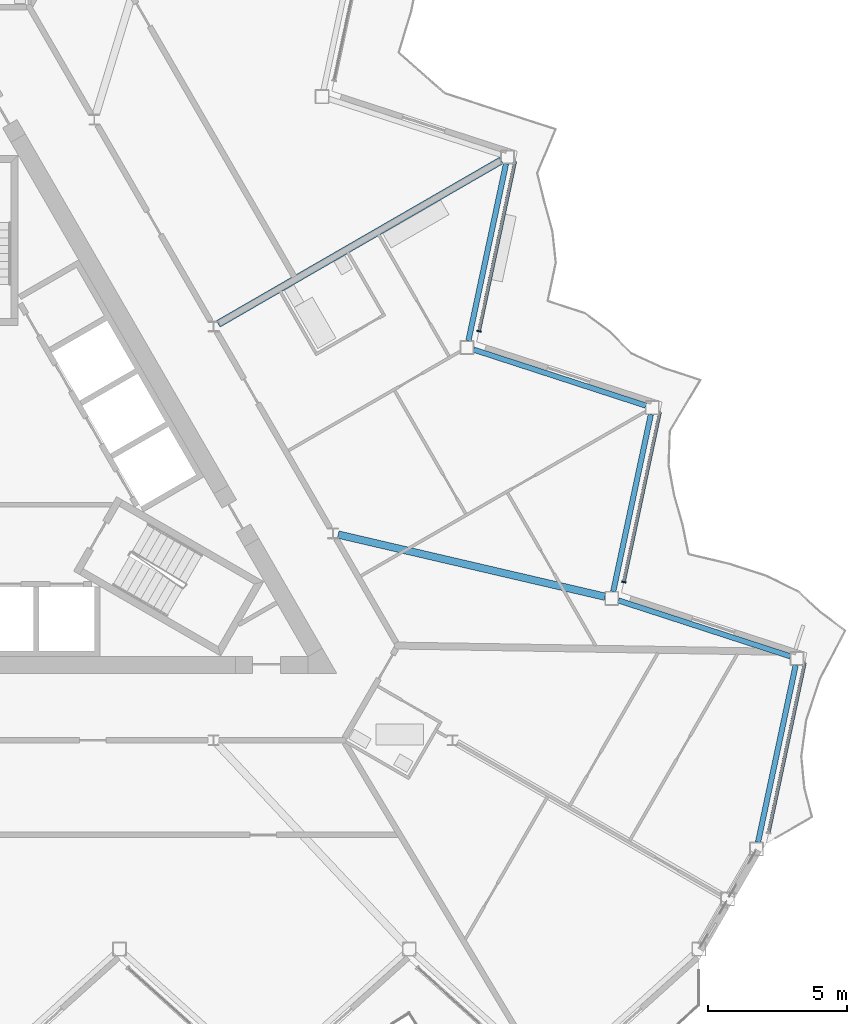
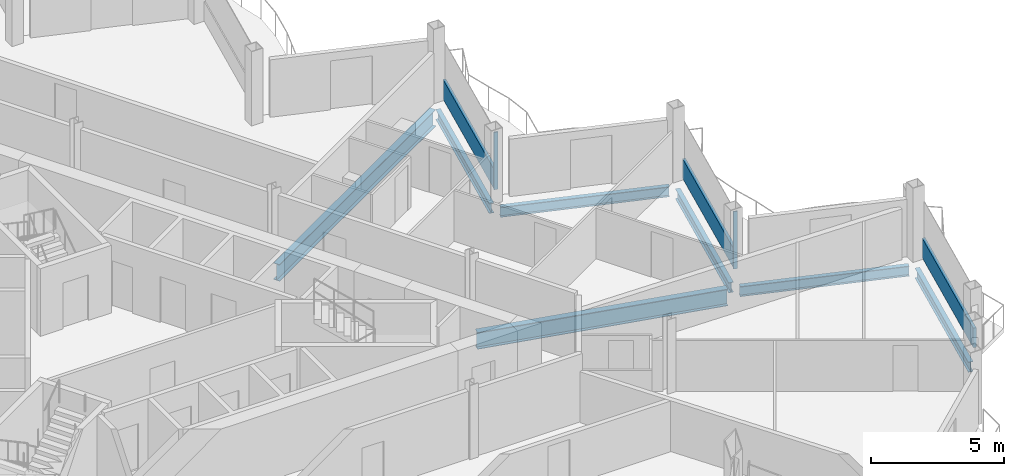
# One storey, part 8 of 26: 7 beams, 5 members, 3 elements without a shape of their own.
"""IFC4 building model written with IfcOpenShell, lengths in metres."""

import ifcopenshell
import ifcopenshell.guid

model = None  # the IFC model being written
_history = None  # IfcOwnerHistory: only IFC2X3 demands one
_inside = {}  # id of a spatial element -> (the spatial element, [elements in it])
_under = {}  # id of a project, library or spatial element -> (it, [spatial elements below it])
_declared = {}  # id of a project -> (the project, [libraries it declares])
_typed = {}  # id of a type object -> (the type object, [elements of that type])
_made_of = {}  # id of a material, layer set ... -> (it, [elements and type objects made of it])


def new_model(schema):
    """Start an empty IFC model of exactly this schema.

    Asked for "IFC4X3", IfcOpenShell would pick the latest addendum, in which some entities
    have other attributes; the version numbers below select the first issue.
    IFC2X3 requires an IfcOwnerHistory on every rooted entity: one is made here for all.
    """
    global model, _history
    if schema == "IFC4X3":
        model = ifcopenshell.file(schema_version=(4, 3, 0, 0))
    else:
        model = ifcopenshell.file(schema=schema)
    _inside.clear()
    _under.clear()
    _declared.clear()
    _typed.clear()
    _made_of.clear()
    _history = None
    if model.schema == "IFC2X3":
        org = make("IfcOrganization", Name="unknown")
        user = make(
            "IfcPersonAndOrganization",
            ThePerson=make("IfcPerson", FamilyName="unknown"),
            TheOrganization=org,
        )
        app = make(
            "IfcApplication",
            ApplicationDeveloper=org,
            Version="unknown",
            ApplicationFullName="unknown",
            ApplicationIdentifier="unknown",
        )
        _history = make(
            "IfcOwnerHistory",
            OwningUser=user,
            OwningApplication=app,
            ChangeAction="ADDED",
            CreationDate=0,
        )
    return model


def make(cls, **values):
    """One entity of the class cls with the attributes given. An attribute that is None is left unset."""
    return model.create_entity(
        cls, **{name: value for name, value in values.items() if value is not None}
    )


def rooted(cls, **values):
    """An entity with a GlobalId (a new one), such as an element, a storey or a relation."""
    return make(cls, GlobalId=ifcopenshell.guid.new(), OwnerHistory=_history, **values)


def si_unit(unit_type, name, prefix=None):
    """IfcSIUnit, for example si_unit("LENGTHUNIT", "METRE", prefix="MILLI")."""
    return make("IfcSIUnit", UnitType=unit_type, Prefix=prefix, Name=name)


def assignment(units):
    """IfcUnitAssignment: the units of a project."""
    return None if units is None else make("IfcUnitAssignment", Units=units)


def point(xyz):
    """IfcCartesianPoint."""
    return None if xyz is None else make("IfcCartesianPoint", Coordinates=xyz)


def direction(xyz):
    """IfcDirection."""
    return None if xyz is None else make("IfcDirection", DirectionRatios=xyz)


def frame(location, z_axis=None, x_axis=None):
    """IfcAxis2Placement3D, a coordinate frame: its origin and axes. An axis left out is left unset."""
    return make(
        "IfcAxis2Placement3D",
        Location=point(location),
        Axis=direction(z_axis),
        RefDirection=direction(x_axis),
    )


def frame_2d(location, x_axis=None):
    """IfcAxis2Placement2D, a coordinate frame in the plane: its origin and x axis."""
    return make(
        "IfcAxis2Placement2D", Location=point(location), RefDirection=direction(x_axis)
    )


def origin():
    """The frame at (0, 0, 0) with its axes left unset."""
    return frame((0.0, 0.0, 0.0))


def origin_2d():
    """The frame at (0, 0) in the plane with its x axis left unset."""
    return frame_2d((0.0, 0.0))


def place(relative_to, where):
    """IfcLocalPlacement: puts the frame where relative to a parent placement (None: the world)."""
    return make(
        "IfcLocalPlacement", PlacementRelTo=relative_to, RelativePlacement=where
    )


def context(
    kind, dimensions, precision=None, world=None, true_north=None, identifier=None
):
    """IfcGeometricRepresentationContext, for example the 3D "Model" context."""
    return make(
        "IfcGeometricRepresentationContext",
        ContextIdentifier=identifier,
        ContextType=kind,
        CoordinateSpaceDimension=dimensions,
        Precision=precision,
        WorldCoordinateSystem=world,
        TrueNorth=true_north,
    )


def subcontext(parent, identifier, kind, view, scale=None):
    """IfcGeometricRepresentationSubContext, for example "Body" below "Model"."""
    return make(
        "IfcGeometricRepresentationSubContext",
        ContextIdentifier=identifier,
        ContextType=kind,
        ParentContext=parent,
        TargetScale=scale,
        TargetView=view,
    )


def project(units=None, contexts=None):
    """IfcProject with its units and contexts."""
    return rooted(
        "IfcProject",
        Name="project",
        RepresentationContexts=contexts,
        UnitsInContext=assignment(units),
    )


def spatial(cls, under=None, at=None, **own):
    """A site, building, storey or space (cls), placed at a placement, below another one or the project."""
    s = rooted(cls, ObjectPlacement=at, **own)
    if under is not None:
        _under.setdefault(under.id(), (under, []))[1].append(s)
    return s


def profile(cls, at=None, kind="AREA", **sizes):
    """A parametric profile (cls). Its sizes go by their IFC names, for example OverallWidth=200.0."""
    return make(cls, ProfileType=kind, Position=at, **sizes)


def rectangle(**sizes):
    """IfcRectangleProfileDef."""
    return profile("IfcRectangleProfileDef", **sizes)


def i_section(**sizes):
    """IfcIShapeProfileDef."""
    return profile("IfcIShapeProfileDef", **sizes)


def extrude(swept, where, along, depth):
    """IfcExtrudedAreaSolid: the profile swept, set in the frame where, extruded along a direction by depth."""
    return make(
        "IfcExtrudedAreaSolid",
        SweptArea=swept,
        Position=where,
        ExtrudedDirection=direction(along),
        Depth=depth,
    )


def shape(context_of_items, identifier, shape_type, items):
    """IfcShapeRepresentation: the items that make up one representation, for example the "Body"."""
    return make(
        "IfcShapeRepresentation",
        ContextOfItems=context_of_items,
        RepresentationIdentifier=identifier,
        RepresentationType=shape_type,
        Items=items,
    )


def material(Name=None, Category=None):
    """IfcMaterial."""
    return make("IfcMaterial", Name=Name, Category=Category)


def layer(
    of_material, thickness, ventilated=None, Name=None, Category=None, Priority=None
):
    """IfcMaterialLayer: one layer of a wall or slab, of a material (None: an air gap)."""
    return make(
        "IfcMaterialLayer",
        Material=of_material,
        LayerThickness=thickness,
        IsVentilated=ventilated,
        Name=Name,
        Category=Category,
        Priority=Priority,
    )


def layer_set(layers, Name=None):
    """IfcMaterialLayerSet."""
    return make("IfcMaterialLayerSet", MaterialLayers=layers, LayerSetName=Name)


def material_profile(
    of_material, cross_section, Name=None, Category=None, Priority=None
):
    """IfcMaterialProfile: a cross section and its material."""
    return make(
        "IfcMaterialProfile",
        Name=Name,
        Material=of_material,
        Profile=cross_section,
        Priority=Priority,
        Category=Category,
    )


def profile_set(profiles, Name=None, composite=None):
    """IfcMaterialProfileSet."""
    return make(
        "IfcMaterialProfileSet",
        Name=Name,
        MaterialProfiles=profiles,
        CompositeProfile=composite,
    )


def made_of(thing, what):
    """Note that an element or type object is made of a material, layer set ...; save() writes the relation."""
    if what is not None:
        _made_of.setdefault(what.id(), (what, []))[1].append(thing)
    return thing


def type_object(cls, material=None, **own):
    """A type object (cls), such as IfcWallType, which elements share."""
    return made_of(rooted(cls, **own), material)


def element(
    cls,
    number,
    at=None,
    inside=None,
    cuts=None,
    type_object=None,
    material=None,
    context=None,
    identifier="Body",
    shape_type=None,
    held_by="IfcProductDefinitionShape",
    body=None,
    shapes=None,
    **own,
):
    """One element of the class cls, such as IfcWall. Its Tag is "e" and its number.

    at: its placement. inside: the storey or other place that contains it. cuts: it is an
    opening in that element (IfcRelVoidsElement). A single representation is given by context,
    identifier, shape_type and body (its items); several are given by shapes. held_by: the class
    of the entity that holds the representations. save() writes the other relations.
    """
    e = rooted(cls, Tag="e%d" % number, ObjectPlacement=at, **own)
    if body is not None:
        shapes = [shape(context, identifier, shape_type, body)]
    if shapes is not None:
        e.Representation = make(held_by, Representations=shapes)
    if inside is not None:
        _inside.setdefault(inside.id(), (inside, []))[1].append(e)
    if cuts is not None:
        rooted(
            "IfcRelVoidsElement", RelatingBuildingElement=cuts, RelatedOpeningElement=e
        )
    if type_object is not None:
        _typed.setdefault(type_object.id(), (type_object, []))[1].append(e)
    return made_of(e, material)


def aggregate(whole, parts):
    """IfcRelAggregates: a whole, such as a stair, and the parts it consists of."""
    return rooted("IfcRelAggregates", RelatingObject=whole, RelatedObjects=parts)


def save(model, path):
    """Write the relations noted so far, then the file.

    IfcRelAggregates (storeys below a building ...), IfcRelContainedInSpatialStructure (elements
    in a storey), IfcRelDefinesByType, IfcRelAssociatesMaterial and IfcRelDeclares: one each for
    every whole, place, type object, material and project.
    """
    for whole, parts in _under.values():
        aggregate(whole, parts)
    for where, things in _inside.values():
        rooted(
            "IfcRelContainedInSpatialStructure",
            RelatedElements=things,
            RelatingStructure=where,
        )
    for kind, things in _typed.values():
        rooted("IfcRelDefinesByType", RelatedObjects=things, RelatingType=kind)
    for what, things in _made_of.values():
        rooted("IfcRelAssociatesMaterial", RelatedObjects=things, RelatingMaterial=what)
    for by, libraries in _declared.values():
        rooted("IfcRelDeclares", RelatingContext=by, RelatedDefinitions=libraries)
    model.write(path)


model = new_model("IFC4")

# Units and contexts
model_context = context("Model", 3, precision=1e-05, world=origin(), true_north=direction((0.0, 1.0)))
body_context = subcontext(model_context, "Body", "Model", "MODEL_VIEW")
ifc_project = project(units=[si_unit("LENGTHUNIT", "METRE"), si_unit("AREAUNIT", "SQUARE_METRE"), si_unit("VOLUMEUNIT", "CUBIC_METRE"), si_unit("PLANEANGLEUNIT", "RADIAN"), si_unit("MASSUNIT", "GRAM", prefix="KILO")], contexts=[model_context])

# Site, building, storey
site_placement = place(None, origin())
site = spatial("IfcSite", under=ifc_project, at=site_placement, CompositionType="ELEMENT")
building_placement = place(site_placement, origin())
building = spatial("IfcBuilding", under=site, at=building_placement, Name="Cormorant Prow Tower", CompositionType="ELEMENT")
storey_placement = place(building_placement, frame((0.0, 0.0, 388.199951171875)))
storey = spatial("IfcBuildingStorey", under=building, at=storey_placement, Name="L88", CompositionType="ELEMENT", Elevation=388.199951171875)

# Beams
ifc_material_1 = material(Name="Structural steel ASTM A992 Gr 50", Category="steel")
ifc_material_profile_1 = material_profile(ifc_material_1, i_section(OverallWidth=0.267822265625, OverallDepth=0.77001953125, WebThickness=0.015625, FlangeThickness=0.025390625, at=origin_2d()), Name="W30x132")
ifc_profile_set_1 = profile_set([ifc_material_profile_1], Name="Structural steel ASTM A992 Gr 50")
beam_type_1 = type_object("IfcBeamType", Name="Radial floor beam W30x132", PredefinedType="BEAM", material=ifc_profile_set_1)
beam_1_placement = place(storey_placement, frame((13.0498046875, -2.518798828125, -0.684814453125), z_axis=(0.973926084128, -0.226865560752, 0.0), x_axis=(0.226865560752, 0.973926084128, 0.0)))
element("IfcBeam", 1, at=beam_1_placement, inside=storey, type_object=beam_type_1, Name="Radial floor beam FB3 10 L88", PredefinedType="BEAM", context=body_context, shape_type="SweptSolid", body=[
    extrude(i_section(OverallWidth=0.267822265625, OverallDepth=0.77001953125, WebThickness=0.015625, FlangeThickness=0.025390625, at=origin_2d()), origin(), (0.0, 0.0, 1.0), 9.837158203125),
])
beam_2_placement = place(storey_placement, frame((8.740478515625, 5.04638671875, -0.684814453125), z_axis=(0.866026702285, 0.499997750924, 0.0), x_axis=(-0.499997750924, 0.866026702285, 0.0)))
element("IfcBeam", 2, at=beam_2_placement, inside=storey, type_object=beam_type_1, Name="Radial floor beam FB3 11 L88", PredefinedType="BEAM", context=body_context, shape_type="SweptSolid", body=[
    extrude(i_section(OverallWidth=0.267822265625, OverallDepth=0.77001953125, WebThickness=0.015625, FlangeThickness=0.025390625, at=origin_2d()), origin(), (0.0, 0.0, 1.0), 11.7451171875),
])

# Curtain wall, member
ifc_material_2 = material(Name="Aluminium 6063-T6", Category="aluminium")
ifc_layer = layer(ifc_material_2, 0.159912109375)
ifc_layer_set = layer_set([ifc_layer], Name="Aluminium 6063-T6")
curtain_wall_type = type_object("IfcCurtainWallType", Name="Residential unitised curtain wall 160", PredefinedType="NOTDEFINED", material=ifc_layer_set)
curtain_wall_1_placement = place(storey_placement, origin())
curtain_wall_1 = element("IfcCurtainWall", 3, at=curtain_wall_1_placement, inside=storey, type_object=curtain_wall_type, Name="Residential curtain wall ENE02", PredefinedType="NOTDEFINED")
ifc_material_3 = material(Name="Aluminium 6063-T6", Category="aluminium")
ifc_material_profile_2 = material_profile(ifc_material_3, rectangle(XDim=0.159912109375, YDim=0.050048828125, at=origin_2d()), Name="Residential mullion 50x160")
ifc_profile_set_2 = profile_set([ifc_material_profile_2], Name="Aluminium 6063-T6")
member_type_1 = type_object("IfcMemberType", Name="Residential mullion 50x160", PredefinedType="MULLION", material=ifc_profile_set_2)
member_1_placement = place(storey_placement, frame((23.304931640625, -4.22265625, 0.0), z_axis=(0.0, 0.0, 1.0), x_axis=(-0.978147586701, 0.207911756835, 0.0)))
member_1 = element("IfcMember", 4, at=member_1_placement, type_object=member_type_1, Name="Residential mullion ENE02", PredefinedType="MULLION", context=body_context, shape_type="SweptSolid", body=[
    extrude(rectangle(XDim=0.159912109375, YDim=0.050048828125, at=origin_2d()), origin(), (0.0, 0.0, 1.0), 2.634033203125),
])

curtain_wall_2_placement = place(storey_placement, origin())
curtain_wall_2 = element("IfcCurtainWall", 5, at=curtain_wall_2_placement, inside=storey, type_object=curtain_wall_type, Name="Residential curtain wall ENE04", PredefinedType="NOTDEFINED")
member_2_placement = place(storey_placement, frame((18.10498046875, 4.783935546875, 0.0), z_axis=(0.0, 0.0, 1.0), x_axis=(-0.978147586701, 0.207911756835, 0.0)))
member_2 = element("IfcMember", 6, at=member_2_placement, type_object=member_type_1, Name="Residential mullion ENE04", PredefinedType="MULLION", context=body_context, shape_type="SweptSolid", body=[
    extrude(rectangle(XDim=0.159912109375, YDim=0.050048828125, at=origin_2d()), origin(), (0.0, 0.0, 1.0), 2.634033203125),
])

curtain_wall_3_placement = place(storey_placement, origin())
curtain_wall_3 = element("IfcCurtainWall", 7, at=curtain_wall_3_placement, inside=storey, type_object=curtain_wall_type, Name="Residential curtain wall ENE00", PredefinedType="NOTDEFINED")
ifc_material_4 = material(Name="Terracotta", Category="masonry")
ifc_material_profile_3 = material_profile(ifc_material_4, rectangle(XDim=0.1201171875, YDim=0.89990234375, at=origin_2d()), Name="Residential terracotta spandrel rail 120x900")
ifc_profile_set_3 = profile_set([ifc_material_profile_3], Name="Terracotta")
member_type_2 = type_object("IfcMemberType", Name="Residential terracotta spandrel rail 120x900", PredefinedType="USERDEFINED", material=ifc_profile_set_3)
member_3_placement = place(storey_placement, frame((28.510009765625, -13.204833984375, 0.449951171875), z_axis=(0.207916541247, 0.978146569731, 0.0), x_axis=(-0.978146569731, 0.207916541247, 0.0)))
member_3 = element("IfcMember", 8, at=member_3_placement, type_object=member_type_2, Name="Residential spandrel rail ENE00", ObjectType="TRANSOM", PredefinedType="USERDEFINED", context=body_context, shape_type="SweptSolid", body=[
    extrude(rectangle(XDim=0.1201171875, YDim=0.89990234375, at=origin_2d()), origin(), (0.0, 0.0, 1.0), 6.215087890625),
])
aggregate(curtain_wall_3, [member_3])

# Member
member_4_placement = place(storey_placement, frame((23.31005859375, -4.1982421875, 0.449951171875), z_axis=(0.207916541247, 0.978146569731, 0.0), x_axis=(-0.978146569731, 0.207916541247, 0.0)))
member_4 = element("IfcMember", 9, at=member_4_placement, type_object=member_type_2, Name="Residential spandrel rail ENE02", ObjectType="TRANSOM", PredefinedType="USERDEFINED", context=body_context, shape_type="SweptSolid", body=[
    extrude(rectangle(XDim=0.1201171875, YDim=0.89990234375, at=origin_2d()), origin(), (0.0, 0.0, 1.0), 6.215087890625),
])

aggregate(curtain_wall_1, [member_1, member_4])

member_5_placement = place(storey_placement, frame((18.110107421875, 4.808349609375, 0.449951171875), z_axis=(0.207908552773, 0.978148267741, 0.0), x_axis=(-0.978148267741, 0.207908552773, 0.0)))
member_5 = element("IfcMember", 10, at=member_5_placement, type_object=member_type_2, Name="Residential spandrel rail ENE04", ObjectType="TRANSOM", PredefinedType="USERDEFINED", context=body_context, shape_type="SweptSolid", body=[
    extrude(rectangle(XDim=0.1201171875, YDim=0.89990234375, at=origin_2d()), origin(), (0.0, 0.0, 1.0), 6.21533203125),
])

aggregate(curtain_wall_2, [member_2, member_5])

# Beams
ifc_material_5 = material(Name="Structural steel ASTM A992 Gr 50", Category="steel")
ifc_material_profile_4 = material_profile(ifc_material_5, i_section(OverallWidth=0.19287109375, OverallDepth=0.466064453125, WebThickness=0.011474609375, FlangeThickness=0.01904296875, at=origin_2d()), Name="W18x65")
ifc_profile_set_4 = profile_set([ifc_material_profile_4], Name="Structural steel ASTM A992 Gr 50")
beam_type_2 = type_object("IfcBeamType", Name="Spandrel beam W18x65", PredefinedType="SPANDREL", material=ifc_profile_set_4)
beam_3_placement = place(storey_placement, frame((28.125732421875, -13.5693359375, -0.532958984375), z_axis=(0.207901897373, 0.978149682344, 0.0), x_axis=(-0.978149682344, 0.207901897373, 0.0)))
element("IfcBeam", 11, at=beam_3_placement, inside=storey, type_object=beam_type_2, Name="Spandrel beam SB4 ENE00-ENE01 L88", PredefinedType="SPANDREL", context=body_context, shape_type="SweptSolid", body=[
    extrude(i_section(OverallWidth=0.19287109375, OverallDepth=0.466064453125, WebThickness=0.011474609375, FlangeThickness=0.01904296875, at=origin_2d()), origin(), (0.0, 0.0, 1.0), 6.49755859375),
])
for number, where, z_axis, x_axis, name in (
    (12, (29.290771484375, -6.89208984375, -0.532958984375), (-0.951053396625, 0.309026595569, 0.0), (-0.309026595569, -0.951053396625, 0.0), "Spandrel beam SB4 ENE01-ENE02 L88"),
    (13, (22.92578125, -4.5625, -0.532958984375), (0.207909538847, 0.978148058147, 0.0), (-0.978148058147, 0.207909538847, 0.0), "Spandrel beam SB4 ENE02-ENE03 L88"),
    (14, (24.0908203125, 2.114501953125, -0.532958984375), (-0.951053396625, 0.309026595569, 0.0), (-0.309026595569, -0.951053396625, 0.0), "Spandrel beam SB4 ENE03-ENE04 L88"),
    (15, (17.725830078125, 4.444091796875, -0.532958984375), (0.207909538847, 0.978148058147, 0.0), (-0.978148058147, 0.207909538847, 0.0), "Spandrel beam SB4 ENE04-ENE05 L88"),
):
    element("IfcBeam", number, at=place(storey_placement, frame(where, z_axis=z_axis, x_axis=x_axis)), inside=storey, type_object=beam_type_2, Name=name, PredefinedType="SPANDREL", context=body_context, shape_type="SweptSolid", body=[
        extrude(i_section(OverallWidth=0.19287109375, OverallDepth=0.466064453125, WebThickness=0.011474609375, FlangeThickness=0.01904296875, at=origin_2d()), origin(), (0.0, 0.0, 1.0), 6.497314453125),
    ])

save(model, "model.ifc")
